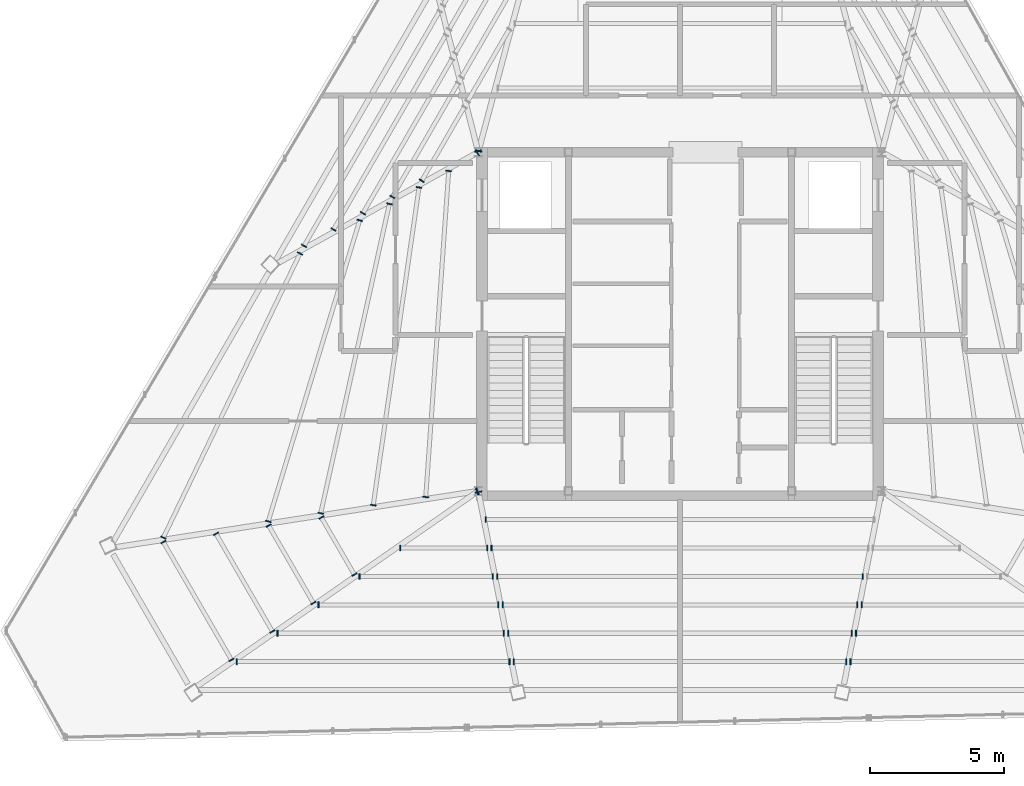
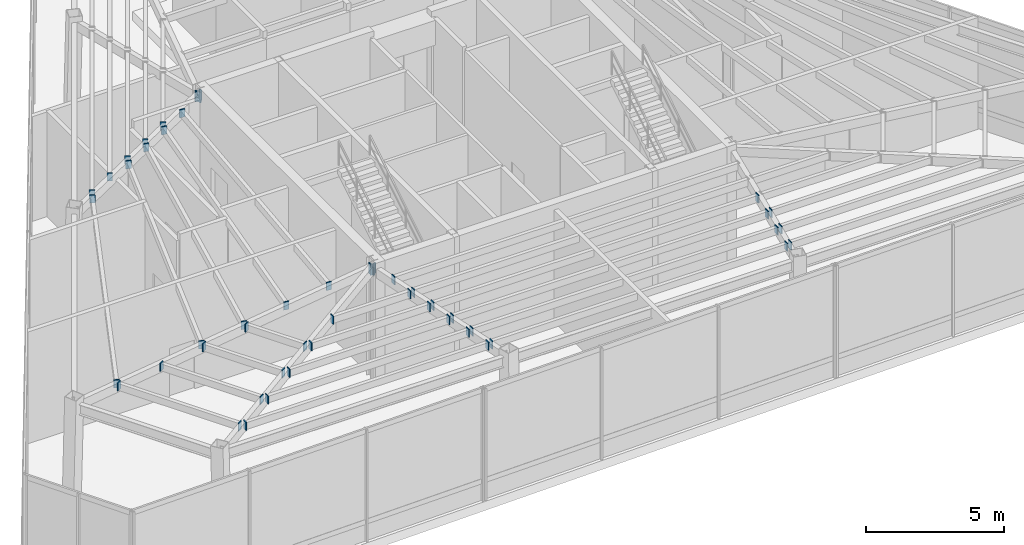
# One storey, part 19 of 25: 52 plates.
"""IFC4 building model written with IfcOpenShell, lengths in metres."""

from ifc_helpers import new_model, si_unit, direction, frame, origin, origin_2d, place, context, subcontext, project, spatial, rectangle, extrude, source, transform, mapped, material, layer, layer_set, type_object, type_shapes, element, save


model = new_model("IFC4")

# Units and contexts
model_context = context("Model", 3, precision=1e-05, world=origin(), true_north=direction((0.0, 1.0)))
body_context = subcontext(model_context, "Body", "Model", "MODEL_VIEW")
ifc_project = project(units=[si_unit("LENGTHUNIT", "METRE"), si_unit("AREAUNIT", "SQUARE_METRE"), si_unit("VOLUMEUNIT", "CUBIC_METRE"), si_unit("PLANEANGLEUNIT", "RADIAN"), si_unit("MASSUNIT", "GRAM", prefix="KILO")], contexts=[model_context])

# Site, building, storey
site_placement = place(None, origin())
site = spatial("IfcSite", under=ifc_project, at=site_placement, CompositionType="ELEMENT")
building_placement = place(site_placement, origin())
building = spatial("IfcBuilding", under=site, at=building_placement, Name="Caelisora Broadcast Tower", CompositionType="ELEMENT")
storey_placement = place(building_placement, frame((0.0, 0.0, 284.60009765625)))
storey = spatial("IfcBuildingStorey", under=building, at=storey_placement, Name="L75", CompositionType="ELEMENT", Elevation=284.60009765625)

# Plates
ifc_material = material(Name="Steel Grade 350 L15 (AS/NZS 3678)", Category="steel")
ifc_layer = layer(ifc_material, 0.0400390625, Name="Steel Grade 350 L15 (AS/NZS 3678)")
ifc_layer_set = layer_set([ifc_layer], Name="Steel Grade 350 L15 (AS/NZS 3678)")
plate_type = type_object("IfcPlateType", Name="GP04", PredefinedType="USERDEFINED", material=ifc_layer_set)
shared_shape_1 = source(origin(), body_context, "Body", "SweptSolid", [
    extrude(rectangle(XDim=0.260009765625, YDim=0.0400390625, at=origin_2d()), origin(), (0.0, 0.0, 1.0), 0.4599609375),
])
for number, where, z_axis, x_axis, name in (
    (1, (30.51025390625, 30.038818359375, 4.52001953125), (0.0, 0.0, 1.0), (-0.966376079321, 0.257132793155, 0.0), "L75 gusset plate GP04 (ND-RAD-L75-02)"),
    (2, (30.489990234375, 30.038818359375, 4.52001953125), (0.0, 0.0, 1.0), (-0.96862655095, -0.248520833726, 0.0), "L75 gusset plate GP04 (ND-RAD-L75-03)"),
    (3, (30.465087890625, 29.980712890625, 4.52001953125), (0.0, 0.0, 1.0), (0.484351604003, -0.87487343296, 0.0), "L75 gusset plate GP04 (ND-RAD-L75-04)"),
    (4, (30.46044921875, 17.393798828125, 4.52001953125), (0.0, 0.0, 1.0), (0.153330783737, -0.98817491911, 0.0), "L75 gusset plate GP04 (ND-RAD-L75-05)"),
    (5, (30.467041015625, 17.377197265625, 4.52001953125), (0.0, 0.0, 1.0), (0.570426897773, -0.821348375719, 0.0), "L75 gusset plate GP04 (ND-RAD-L75-06)"),
    (6, (30.5078125, 17.360595703125, 4.52001953125), (0.0, 0.0, 1.0), (0.981493734433, 0.191494253877, 0.0), "L75 gusset plate GP04 (ND-RAD-L75-07)"),
):
    element("IfcPlate", number, at=place(storey_placement, frame(where, z_axis=z_axis, x_axis=x_axis)), inside=storey, type_object=plate_type, Name=name, ObjectType="GUSSET PLATE", PredefinedType="USERDEFINED", context=body_context, shape_type="MappedRepresentation", body=[
        mapped(shared_shape_1, transform((0.0, 0.0, 0.0), scale=1.0)),
    ])
shared_shape_2 = source(origin(), body_context, "Body", "SweptSolid", [
    extrude(rectangle(XDim=0.2099609375, YDim=0.0400390625, at=origin_2d()), origin(), (0.0, 0.0, 1.0), 0.360107421875),
])
type_shapes(plate_type, [shared_shape_1, shared_shape_2])
for number, where, z_axis, x_axis, name in (
    (7, (28.397705078125, 28.9365234375, 4.61962890625), (0.0, 0.0, 1.0), (0.866025403784, -0.5, 0.0), "L75 gusset plate GP04 (ND-SB-L75-012B)"),
    (8, (27.3037109375, 28.330810546875, 4.61962890625), (0.0, 0.0, 1.0), (0.866025403784, -0.5, 0.0), "L75 gusset plate GP04 (ND-SB-L75-013B)"),
    (9, (26.2099609375, 27.72509765625, 4.61962890625), (0.0, 0.0, 1.0), (0.866025403784, -0.5, 0.0), "L75 gusset plate GP04 (ND-SB-L75-014B)"),
    (10, (25.115966796875, 27.119384765625, 4.61962890625), (0.0, 0.0, 1.0), (0.866025403784, -0.5, 0.0), "L75 gusset plate GP04 (ND-SB-L75-015B)"),
    (11, (24.022216796875, 26.513671875, 4.61962890625), (0.0, 0.0, 1.0), (0.866025403784, -0.5, 0.0), "L75 gusset plate GP04 (ND-SB-L75-016B)"),
    (12, (29.3994140625, 29.29833984375, 4.61962890625), (0.0, 0.0, 1.0), (0.997539639882, -0.070104685031, 0.0), "L75 gusset plate GP04 (ND-SB-L75-017A)"),
    (13, (28.546875, 17.175537109375, 4.61962890625), (0.0, 0.0, 1.0), (0.997539639882, -0.070104685031, 0.0), "L75 gusset plate GP04 (ND-SB-L75-017B)"),
    (14, (28.297607421875, 28.68701171875, 4.61962890625), (0.0, 0.0, 1.0), (0.989751322388, -0.142801680073, 0.0), "L75 gusset plate GP04 (ND-SB-L75-018A)"),
    (15, (26.593994140625, 16.873046875, 4.61962890625), (0.0, 0.0, 1.0), (0.989751322388, -0.142801680073, 0.0), "L75 gusset plate GP04 (ND-SB-L75-018B)"),
    (16, (27.1943359375, 28.074951171875, 4.61962890625), (0.0, 0.0, 1.0), (0.976258216411, -0.216610006439, 0.0), "L75 gusset plate GP04 (ND-SB-L75-019A)"),
    (17, (24.641845703125, 16.57080078125, 4.61962890625), (0.0, 0.0, 1.0), (0.976258216411, -0.216610006439, 0.0), "L75 gusset plate GP04 (ND-SB-L75-019B)"),
    (18, (26.08935546875, 27.461669921875, 4.61962890625), (0.0, 0.0, 1.0), (0.956864306588, -0.290535193698, 0.0), "L75 gusset plate GP04 (ND-SB-L75-020A)"),
    (19, (22.690185546875, 16.268798828125, 4.61962890625), (0.0, 0.0, 1.0), (0.956864306588, -0.290535193698, 0.0), "L75 gusset plate GP04 (ND-SB-L75-020B)"),
    (20, (23.87158203125, 26.23046875, 4.61962890625), (0.0, 0.0, 1.0), (0.901152695386, -0.433501810375, 0.0), "L75 gusset plate GP04 (ND-SB-L75-021A)"),
    (21, (18.78955078125, 15.665283203125, 4.61962890625), (0.0, 0.0, 1.0), (0.901152695386, -0.433501810375, 0.0), "L75 gusset plate GP04 (ND-SB-L75-021B)"),
    (22, (24.66552734375, 16.41552734375, 4.61962890625), (0.0, 0.0, 1.0), (0.866025403784, 0.5, 0.0), "L75 gusset plate GP04 (ND-SB-L75-022A)"),
    (23, (25.89111328125, 14.292724609375, 4.61962890625), (0.0, 0.0, 1.0), (0.866025403784, 0.5, 0.0), "L75 gusset plate GP04 (ND-SB-L75-022B)"),
    (24, (22.706787109375, 16.11181640625, 4.61962890625), (0.0, 0.0, 1.0), (0.866025403784, 0.5, 0.0), "L75 gusset plate GP04 (ND-SB-L75-023A)"),
    (25, (24.367919921875, 13.234619140625, 4.61962890625), (0.0, 0.0, 1.0), (0.866025403784, 0.5, 0.0), "L75 gusset plate GP04 (ND-SB-L75-023B)"),
    (26, (20.748046875, 15.807861328125, 4.61962890625), (0.0, 0.0, 1.0), (0.866025403784, 0.5, 0.0), "L75 gusset plate GP04 (ND-SB-L75-024A)"),
    (27, (22.844482421875, 12.176513671875, 4.61962890625), (0.0, 0.0, 1.0), (0.866025403784, 0.5, 0.0), "L75 gusset plate GP04 (ND-SB-L75-024B)"),
    (28, (18.7890625, 15.50390625, 4.61962890625), (0.0, 0.0, 1.0), (0.866025403784, 0.5, 0.0), "L75 gusset plate GP04 (ND-SB-L75-025A)"),
    (29, (21.321044921875, 11.118408203125, 4.61962890625), (0.0, 0.0, 1.0), (0.866025403784, 0.5, 0.0), "L75 gusset plate GP04 (ND-SB-L75-025B)"),
    (30, (27.60546875, 15.283935546875, 4.61962890625), (0.0, 0.0, 1.0), (0.0, 1.0, 0.0), "L75 gusset plate GP04 (ND-SB-L75-026A)"),
    (31, (30.833984375, 15.283935546875, 4.61962890625), (0.0, 0.0, 1.0), (0.0, 1.0, 0.0), "L75 gusset plate GP04 (ND-SB-L75-026B)"),
    (32, (26.08203125, 14.225830078125, 4.61962890625), (0.0, 0.0, 1.0), (0.0, 1.0, 0.0), "L75 gusset plate GP04 (ND-SB-L75-027A)"),
    (33, (31.04052734375, 14.225830078125, 4.61962890625), (0.0, 0.0, 1.0), (0.0, 1.0, 0.0), "L75 gusset plate GP04 (ND-SB-L75-027B)"),
    (34, (24.558837890625, 13.167724609375, 4.61962890625), (0.0, 0.0, 1.0), (0.0, 1.0, 0.0), "L75 gusset plate GP04 (ND-SB-L75-028A)"),
    (35, (31.2470703125, 13.167724609375, 4.61962890625), (0.0, 0.0, 1.0), (0.0, 1.0, 0.0), "L75 gusset plate GP04 (ND-SB-L75-028B)"),
    (36, (23.035400390625, 12.109619140625, 4.61962890625), (0.0, 0.0, 1.0), (0.0, 1.0, 0.0), "L75 gusset plate GP04 (ND-SB-L75-029A)"),
    (37, (31.45361328125, 12.109619140625, 4.61962890625), (0.0, 0.0, 1.0), (0.0, 1.0, 0.0), "L75 gusset plate GP04 (ND-SB-L75-029B)"),
    (38, (21.511962890625, 11.051513671875, 4.61962890625), (0.0, 0.0, 1.0), (0.0, 1.0, 0.0), "L75 gusset plate GP04 (ND-SB-L75-030A)"),
    (39, (31.659912109375, 11.051513671875, 4.61962890625), (0.0, 0.0, 1.0), (0.0, 1.0, 0.0), "L75 gusset plate GP04 (ND-SB-L75-030B)"),
    (40, (30.785400390625, 16.341796875, 4.61962890625), (0.0, 0.0, 1.0), (0.0, 1.0, 0.0), "L75 gusset plate GP04 (ND-SB-L75-031A)"),
    (41, (30.991943359375, 15.283935546875, 4.61962890625), (0.0, 0.0, 1.0), (0.0, 1.0, 0.0), "L75 gusset plate GP04 (ND-SB-L75-032A)"),
    (42, (31.198486328125, 14.225830078125, 4.61962890625), (0.0, 0.0, 1.0), (0.0, 1.0, 0.0), "L75 gusset plate GP04 (ND-SB-L75-033A)"),
    (43, (44.801513671875, 14.225830078125, 4.61962890625), (0.0, 0.0, 1.0), (0.0, 1.0, 0.0), "L75 gusset plate GP04 (ND-SB-L75-033B)"),
    (44, (31.40478515625, 13.167724609375, 4.61962890625), (0.0, 0.0, 1.0), (0.0, 1.0, 0.0), "L75 gusset plate GP04 (ND-SB-L75-034A)"),
    (45, (44.59521484375, 13.167724609375, 4.61962890625), (0.0, 0.0, 1.0), (0.0, 1.0, 0.0), "L75 gusset plate GP04 (ND-SB-L75-034B)"),
    (46, (31.611328125, 12.109619140625, 4.61962890625), (0.0, 0.0, 1.0), (0.0, 1.0, 0.0), "L75 gusset plate GP04 (ND-SB-L75-035A)"),
    (47, (44.388671875, 12.109619140625, 4.61962890625), (0.0, 0.0, 1.0), (0.0, 1.0, 0.0), "L75 gusset plate GP04 (ND-SB-L75-035B)"),
    (48, (31.81787109375, 11.051513671875, 4.61962890625), (0.0, 0.0, 1.0), (0.0, 1.0, 0.0), "L75 gusset plate GP04 (ND-SB-L75-036A)"),
    (49, (44.18212890625, 11.051513671875, 4.61962890625), (0.0, 0.0, 1.0), (0.0, 1.0, 0.0), "L75 gusset plate GP04 (ND-SB-L75-036B)"),
    (50, (44.7529296875, 13.167724609375, 4.61962890625), (0.0, 0.0, 1.0), (0.0, 1.0, 0.0), "L75 gusset plate GP04 (ND-SB-L75-039A)"),
    (51, (44.54638671875, 12.109619140625, 4.61962890625), (0.0, 0.0, 1.0), (0.0, 1.0, 0.0), "L75 gusset plate GP04 (ND-SB-L75-040A)"),
    (52, (44.340087890625, 11.051513671875, 4.61962890625), (0.0, 0.0, 1.0), (0.0, 1.0, 0.0), "L75 gusset plate GP04 (ND-SB-L75-041A)"),
):
    element("IfcPlate", number, at=place(storey_placement, frame(where, z_axis=z_axis, x_axis=x_axis)), inside=storey, type_object=plate_type, Name=name, ObjectType="GUSSET PLATE", PredefinedType="USERDEFINED", context=body_context, shape_type="MappedRepresentation", body=[
        mapped(shared_shape_2, transform((0.0, 0.0, 0.0), scale=1.0)),
    ])

save(model, "model.ifc")
